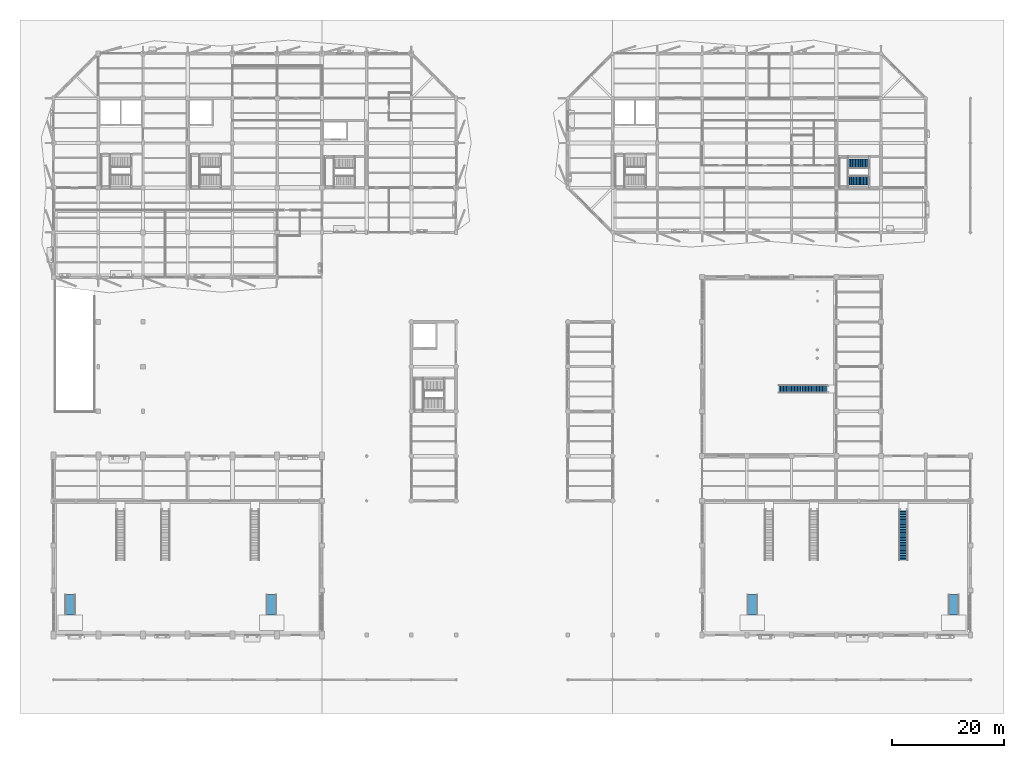
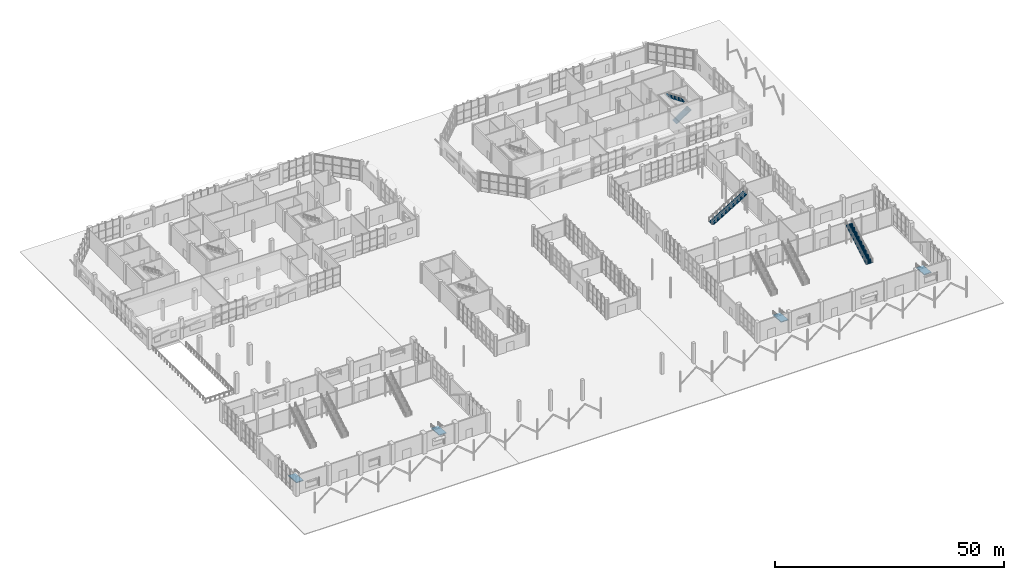
# One storey, part 107 of 123: 4 ramp flights, 4 stair flights, 7 elements without a shape of their own.
"""IFC4 building model written with IfcOpenShell, lengths in metres."""

from ifc_helpers import new_model, si_unit, direction, frame, origin, place, context, subcontext, project, spatial, polyline, outline, extrude, material, layer, layer_set, type_object, element, aggregate, save


model = new_model("IFC4")

# Units and contexts
model_context = context("Model", 3, precision=1e-05, world=origin(), true_north=direction((0.0, 1.0)))
body_context = subcontext(model_context, "Body", "Model", "MODEL_VIEW")
ifc_project = project(units=[si_unit("LENGTHUNIT", "METRE"), si_unit("AREAUNIT", "SQUARE_METRE"), si_unit("VOLUMEUNIT", "CUBIC_METRE"), si_unit("PLANEANGLEUNIT", "RADIAN"), si_unit("MASSUNIT", "GRAM", prefix="KILO")], contexts=[model_context])

# Site, building, storey
site_placement = place(None, origin())
site = spatial("IfcSite", under=ifc_project, at=site_placement, CompositionType="ELEMENT")
building_placement = place(site_placement, origin())
building = spatial("IfcBuilding", under=site, at=building_placement, Name="Tenunan Teduh Sports Hall", CompositionType="ELEMENT")
storey_placement = place(building_placement, origin())
storey = spatial("IfcBuildingStorey", under=building, at=storey_placement, Name="L00", CompositionType="ELEMENT", Elevation=0.0)

# Stair, stair flights
ifc_material_1 = material(Name="Precast concrete C40/50", Category="concrete")
stair_type_1 = type_object("IfcStairType", Name="STR-CORE-42", PredefinedType="HALF_TURN_STAIR", material=ifc_material_1)
stair_1_placement = place(storey_placement, origin())
stair_1 = element("IfcStair", 1, at=stair_1_placement, inside=storey, type_object=stair_type_1, Name="STR-E2-L00", PredefinedType="HALF_TURN_STAIR")
ifc_material_2 = material(Name="Precast concrete C40/50", Category="concrete")
stair_flight_type_1 = type_object("IfcStairFlightType", Name="SFL-ST-T02", PredefinedType="STRAIGHT", material=ifc_material_2)
stair_flight_1_placement = place(storey_placement, frame((148.080078125, 95.320068359375, 0.0), z_axis=(0.0, 0.0, 1.0), x_axis=(1.0, 0.0, 0.0)))
stair_flight_1 = element("IfcStairFlight", 2, at=stair_flight_1_placement, type_object=stair_flight_type_1, Name="ST-19 flight 1", NumberOfRisers=16, NumberOfTreads=15, PredefinedType="STRAIGHT", RiserHeight=0.16875, TreadLength=0.255, context=body_context, shape_type="SweptSolid", body=[
    extrude(outline(polyline([(0.0, 0.0), (0.0, 0.168701171875), (0.2548828125, 0.168701171875), (0.2548828125, 0.33740234375), (0.510009765625, 0.33740234375), (0.510009765625, 0.50634765625), (0.764892578125, 0.50634765625), (0.764892578125, 0.675048828125), (1.02001953125, 0.675048828125), (1.02001953125, 0.84375), (1.27490234375, 0.84375), (1.27490234375, 1.012451171875), (1.530029296875, 1.012451171875), (1.530029296875, 1.18115234375), (1.784912109375, 1.18115234375), (1.784912109375, 1.35009765625), (2.0400390625, 1.35009765625), (2.0400390625, 1.518798828125), (2.294921875, 1.518798828125), (2.294921875, 1.6875), (2.550048828125, 1.6875), (2.550048828125, 1.856201171875), (2.804931640625, 1.856201171875), (2.804931640625, 2.02490234375), (3.06005859375, 2.02490234375), (3.06005859375, 2.19384765625), (3.31494140625, 2.19384765625), (3.31494140625, 2.362548828125), (3.570068359375, 2.362548828125), (3.570068359375, 2.53125), (3.824951171875, 2.53125), (3.824951171875, 2.699951171875), (3.824951171875, 2.3154296875), (0.325927734375, 0.0), (0.0, 0.0)])), frame((0.0, 0.83984375, 0.0), z_axis=(0.0, -1.0, 0.0), x_axis=(1.0, 0.0, 0.0)), (0.0, 0.0, 1.0), 1.679931640625),
])
stair_flight_2_placement = place(storey_placement, frame((151.985107421875, 98.280029296875, 2.699951171875), z_axis=(0.0, 0.0, 1.0), x_axis=(-1.0, 0.0, 0.0)))
stair_flight_2 = element("IfcStairFlight", 3, at=stair_flight_2_placement, type_object=stair_flight_type_1, Name="ST-19 flight 2", NumberOfRisers=16, NumberOfTreads=15, PredefinedType="STRAIGHT", RiserHeight=0.16875, TreadLength=0.255, context=body_context, shape_type="SweptSolid", body=[
    extrude(outline(polyline([(0.0, 0.0), (0.0, 0.168701171875), (0.2548828125, 0.168701171875), (0.2548828125, 0.33740234375), (0.510009765625, 0.33740234375), (0.510009765625, 0.50634765625), (0.764892578125, 0.50634765625), (0.764892578125, 0.675048828125), (1.02001953125, 0.675048828125), (1.02001953125, 0.84375), (1.27490234375, 0.84375), (1.27490234375, 1.012451171875), (1.530029296875, 1.012451171875), (1.530029296875, 1.18115234375), (1.784912109375, 1.18115234375), (1.784912109375, 1.35009765625), (2.0400390625, 1.35009765625), (2.0400390625, 1.518798828125), (2.294921875, 1.518798828125), (2.294921875, 1.6875), (2.550048828125, 1.6875), (2.550048828125, 1.856201171875), (2.804931640625, 1.856201171875), (2.804931640625, 2.02490234375), (3.06005859375, 2.02490234375), (3.06005859375, 2.19384765625), (3.31494140625, 2.19384765625), (3.31494140625, 2.362548828125), (3.570068359375, 2.362548828125), (3.570068359375, 2.53125), (3.824951171875, 2.53125), (3.824951171875, 2.699951171875), (3.824951171875, 2.3154296875), (0.325927734375, 0.0), (0.0, 0.0)])), frame((0.0, 0.83984375, 0.0), z_axis=(0.0, -1.0, 0.0), x_axis=(1.0, 0.0, 0.0)), (0.0, 0.0, 1.0), 1.679931640625),
])
aggregate(stair_1, [stair_flight_1, stair_flight_2])

# Stair, stair flight
ifc_material_3 = material(Name="Precast concrete C40/50", Category="concrete")
stair_type_2 = type_object("IfcStairType", Name="STR-VOM-E", PredefinedType="STRAIGHT_RUN_STAIR", material=ifc_material_3)
stair_2_placement = place(storey_placement, origin())
stair_2 = element("IfcStair", 4, at=stair_2_placement, inside=storey, type_object=stair_type_2, Name="STR-VOM-V1B", PredefinedType="STRAIGHT_RUN_STAIR")
ifc_material_4 = material(Name="Precast concrete C40/50", Category="concrete")
stair_flight_type_2 = type_object("IfcStairFlightType", Name="SFL-ST-T03", PredefinedType="STRAIGHT", material=ifc_material_4)
stair_flight_3_placement = place(storey_placement, frame((158.0, 27.389892578125, 0.0), z_axis=(0.0, 0.0, 1.0), x_axis=(0.0, 1.0, 0.0)))
stair_flight_3 = element("IfcStairFlight", 5, at=stair_flight_3_placement, type_object=stair_flight_type_2, Name="ST-25 flight 1", NumberOfRisers=32, NumberOfTreads=31, PredefinedType="STRAIGHT", RiserHeight=0.16875, TreadLength=0.29, context=body_context, shape_type="SweptSolid", body=[
    extrude(outline(polyline([(0.0, 0.0), (0.0, 0.168701171875), (0.2900390625, 0.168701171875), (0.2900390625, 0.33740234375), (0.580078125, 0.33740234375), (0.580078125, 0.50634765625), (0.8701171875, 0.50634765625), (0.8701171875, 0.675048828125), (1.159912109375, 0.675048828125), (1.159912109375, 0.84375), (1.449951171875, 0.84375), (1.449951171875, 1.012451171875), (1.739990234375, 1.012451171875), (1.739990234375, 1.18115234375), (2.030029296875, 1.18115234375), (2.030029296875, 1.35009765625), (2.320068359375, 1.35009765625), (2.320068359375, 1.518798828125), (2.610107421875, 1.518798828125), (2.610107421875, 1.6875), (2.89990234375, 1.6875), (2.89990234375, 1.856201171875), (3.18994140625, 1.856201171875), (3.18994140625, 2.02490234375), (3.47998046875, 2.02490234375), (3.47998046875, 2.19384765625), (3.77001953125, 2.19384765625), (3.77001953125, 2.362548828125), (4.06005859375, 2.362548828125), (4.06005859375, 2.53125), (4.35009765625, 2.53125), (4.35009765625, 2.699951171875), (4.639892578125, 2.699951171875), (4.639892578125, 2.86865234375), (4.929931640625, 2.86865234375), (4.929931640625, 3.03759765625), (5.219970703125, 3.03759765625), (5.219970703125, 3.206298828125), (5.510009765625, 3.206298828125), (5.510009765625, 3.375), (5.800048828125, 3.375), (5.800048828125, 3.543701171875), (6.090087890625, 3.543701171875), (6.090087890625, 3.71240234375), (6.3798828125, 3.71240234375), (6.3798828125, 3.88134765625), (6.669921875, 3.88134765625), (6.669921875, 4.050048828125), (6.9599609375, 4.050048828125), (6.9599609375, 4.21875), (7.25, 4.21875), (7.25, 4.387451171875), (7.5400390625, 4.387451171875), (7.5400390625, 4.55615234375), (7.830078125, 4.55615234375), (7.830078125, 4.72509765625), (8.1201171875, 4.72509765625), (8.1201171875, 4.893798828125), (8.409912109375, 4.893798828125), (8.409912109375, 5.0625), (8.699951171875, 5.0625), (8.699951171875, 5.231201171875), (8.989990234375, 5.231201171875), (8.989990234375, 5.39990234375), (8.989990234375, 5.0), (0.3974609375, 0.0), (0.0, 0.0)])), frame((0.0, 0.800048828125, 0.0), z_axis=(0.0, -1.0, 0.0), x_axis=(1.0, 0.0, 0.0)), (0.0, 0.0, 1.0), 1.60009765625),
])
aggregate(stair_2, [stair_flight_3])

ifc_material_5 = material(Name="Precast concrete C40/50", Category="concrete")
stair_type_3 = type_object("IfcStairType", Name="STR-CLM-MEZ", PredefinedType="STRAIGHT_RUN_STAIR", material=ifc_material_5)
stair_3_placement = place(storey_placement, origin())
stair_3 = element("IfcStair", 6, at=stair_3_placement, inside=storey, type_object=stair_type_3, Name="STR-VOM-CL1", PredefinedType="STRAIGHT_RUN_STAIR")
ifc_material_6 = material(Name="Precast concrete C40/50", Category="concrete")
stair_flight_type_3 = type_object("IfcStairFlightType", Name="SFL-ST-T05", PredefinedType="STRAIGHT", material=ifc_material_6)
stair_flight_4_placement = place(storey_placement, frame((135.719970703125, 58.0, 0.0), z_axis=(0.0, 0.0, 1.0), x_axis=(1.0, 0.0, 0.0)))
stair_flight_4 = element("IfcStairFlight", 7, at=stair_flight_4_placement, type_object=stair_flight_type_3, Name="ST-29 flight 1", NumberOfRisers=32, NumberOfTreads=31, PredefinedType="STRAIGHT", RiserHeight=0.16875, TreadLength=0.28, context=body_context, shape_type="SweptSolid", body=[
    extrude(outline(polyline([(0.0, 0.0), (0.0, 0.168701171875), (0.280029296875, 0.168701171875), (0.280029296875, 0.33740234375), (0.56005859375, 0.33740234375), (0.56005859375, 0.50634765625), (0.840087890625, 0.50634765625), (0.840087890625, 0.675048828125), (1.1201171875, 0.675048828125), (1.1201171875, 0.84375), (1.39990234375, 0.84375), (1.39990234375, 1.012451171875), (1.679931640625, 1.012451171875), (1.679931640625, 1.18115234375), (1.9599609375, 1.18115234375), (1.9599609375, 1.35009765625), (2.239990234375, 1.35009765625), (2.239990234375, 1.518798828125), (2.52001953125, 1.518798828125), (2.52001953125, 1.6875), (2.800048828125, 1.6875), (2.800048828125, 1.856201171875), (3.080078125, 1.856201171875), (3.080078125, 2.02490234375), (3.360107421875, 2.02490234375), (3.360107421875, 2.19384765625), (3.639892578125, 2.19384765625), (3.639892578125, 2.362548828125), (3.919921875, 2.362548828125), (3.919921875, 2.53125), (4.199951171875, 2.53125), (4.199951171875, 2.699951171875), (4.47998046875, 2.699951171875), (4.47998046875, 2.86865234375), (4.760009765625, 2.86865234375), (4.760009765625, 3.03759765625), (5.0400390625, 3.03759765625), (5.0400390625, 3.206298828125), (5.320068359375, 3.206298828125), (5.320068359375, 3.375), (5.60009765625, 3.375), (5.60009765625, 3.543701171875), (5.8798828125, 3.543701171875), (5.8798828125, 3.71240234375), (6.159912109375, 3.71240234375), (6.159912109375, 3.88134765625), (6.43994140625, 3.88134765625), (6.43994140625, 4.050048828125), (6.719970703125, 4.050048828125), (6.719970703125, 4.21875), (7.0, 4.21875), (7.0, 4.387451171875), (7.280029296875, 4.387451171875), (7.280029296875, 4.55615234375), (7.56005859375, 4.55615234375), (7.56005859375, 4.72509765625), (7.840087890625, 4.72509765625), (7.840087890625, 4.893798828125), (8.1201171875, 4.893798828125), (8.1201171875, 5.0625), (8.39990234375, 5.0625), (8.39990234375, 5.231201171875), (8.679931640625, 5.231201171875), (8.679931640625, 5.39990234375), (8.679931640625, 4.997802734375), (0.387451171875, 0.0), (0.0, 0.0)])), frame((0.0, 0.75, 0.0), z_axis=(0.0, -1.0, 0.0), x_axis=(1.0, 0.0, 0.0)), (0.0, 0.0, 1.0), 1.5),
])
aggregate(stair_3, [stair_flight_4])

# Ramp, ramp flight
ifc_material_7 = material(Name="Concrete C40/50", Category="concrete")
ramp_type = type_object("IfcRampType", Name="RMP-PED-112", PredefinedType="STRAIGHT_RUN_RAMP", material=ifc_material_7)
ramp_1_placement = place(storey_placement, origin())
ramp_1 = element("IfcRamp", 8, at=ramp_1_placement, inside=storey, type_object=ramp_type, Name="Accessible Court Viewing Platform Ramp 1", PredefinedType="STRAIGHT_RUN_RAMP")
ifc_material_8 = material(Name="Concrete C40/50", Category="concrete")
ifc_layer = layer(ifc_material_8, 0.219970703125)
ifc_layer_set = layer_set([ifc_layer], Name="Concrete C40/50")
ramp_flight_type = type_object("IfcRampFlightType", Name="RFL-PED-112", PredefinedType="STRAIGHT", material=ifc_layer_set)
ramp_flight_1_placement = place(storey_placement, frame((9.0, 21.199951171875, 0.0), z_axis=(0.0, 0.0, 1.0), x_axis=(0.0, -1.0, 0.0)))
ramp_flight_1 = element("IfcRampFlight", 9, at=ramp_flight_1_placement, type_object=ramp_flight_type, Name="RMP-PED-01-FL1", PredefinedType="STRAIGHT", context=body_context, shape_type="SweptSolid", body=[
    extrude(outline(polyline([(0.0, 0.0), (3.60009765625, 0.300048828125), (3.60009765625, 0.079345703125), (0.0, -0.220703125), (0.0, 0.0)])), frame((0.0, 0.89990234375, 0.0), z_axis=(0.0, -1.0, 0.0), x_axis=(1.0, 0.0, 0.0)), (0.0, 0.0, 1.0), 1.800048828125),
])
aggregate(ramp_1, [ramp_flight_1])

ramp_2_placement = place(storey_placement, origin())
ramp_2 = element("IfcRamp", 10, at=ramp_2_placement, inside=storey, type_object=ramp_type, Name="Accessible Court Viewing Platform Ramp 2", PredefinedType="STRAIGHT_RUN_RAMP")
ramp_flight_2_placement = place(storey_placement, frame((45.0, 21.199951171875, 0.0), z_axis=(0.0, 0.0, 1.0), x_axis=(0.0, -1.0, 0.0)))
ramp_flight_2 = element("IfcRampFlight", 11, at=ramp_flight_2_placement, type_object=ramp_flight_type, Name="RMP-PED-02-FL1", PredefinedType="STRAIGHT", context=body_context, shape_type="SweptSolid", body=[
    extrude(outline(polyline([(0.0, 0.0), (3.60009765625, 0.300048828125), (3.60009765625, 0.079345703125), (0.0, -0.220703125), (0.0, 0.0)])), frame((0.0, 0.89990234375, 0.0), z_axis=(0.0, -1.0, 0.0), x_axis=(1.0, 0.0, 0.0)), (0.0, 0.0, 1.0), 1.800048828125),
])
aggregate(ramp_2, [ramp_flight_2])

ramp_3_placement = place(storey_placement, origin())
ramp_3 = element("IfcRamp", 12, at=ramp_3_placement, inside=storey, type_object=ramp_type, Name="Accessible Court Viewing Platform Ramp 3", PredefinedType="STRAIGHT_RUN_RAMP")
ramp_flight_3_placement = place(storey_placement, frame((131.0, 21.199951171875, 0.0), z_axis=(0.0, 0.0, 1.0), x_axis=(0.0, -1.0, 0.0)))
ramp_flight_3 = element("IfcRampFlight", 13, at=ramp_flight_3_placement, type_object=ramp_flight_type, Name="RMP-PED-03-FL1", PredefinedType="STRAIGHT", context=body_context, shape_type="SweptSolid", body=[
    extrude(outline(polyline([(0.0, 0.0), (3.60009765625, 0.300048828125), (3.60009765625, 0.079345703125), (0.0, -0.220703125), (0.0, 0.0)])), frame((0.0, 0.89990234375, 0.0), z_axis=(0.0, -1.0, 0.0), x_axis=(1.0, 0.0, 0.0)), (0.0, 0.0, 1.0), 1.800048828125),
])
aggregate(ramp_3, [ramp_flight_3])

ramp_4_placement = place(storey_placement, origin())
ramp_4 = element("IfcRamp", 14, at=ramp_4_placement, inside=storey, type_object=ramp_type, Name="Accessible Court Viewing Platform Ramp 4", PredefinedType="STRAIGHT_RUN_RAMP")
ramp_flight_4_placement = place(storey_placement, frame((167.0, 21.199951171875, 0.0), z_axis=(0.0, 0.0, 1.0), x_axis=(0.0, -1.0, 0.0)))
ramp_flight_4 = element("IfcRampFlight", 15, at=ramp_flight_4_placement, type_object=ramp_flight_type, Name="RMP-PED-04-FL1", PredefinedType="STRAIGHT", context=body_context, shape_type="SweptSolid", body=[
    extrude(outline(polyline([(0.0, 0.0), (3.60009765625, 0.300048828125), (3.60009765625, 0.079345703125), (0.0, -0.220703125), (0.0, 0.0)])), frame((0.0, 0.89990234375, 0.0), z_axis=(0.0, -1.0, 0.0), x_axis=(1.0, 0.0, 0.0)), (0.0, 0.0, 1.0), 1.800048828125),
])
aggregate(ramp_4, [ramp_flight_4])

save(model, "model.ifc")
